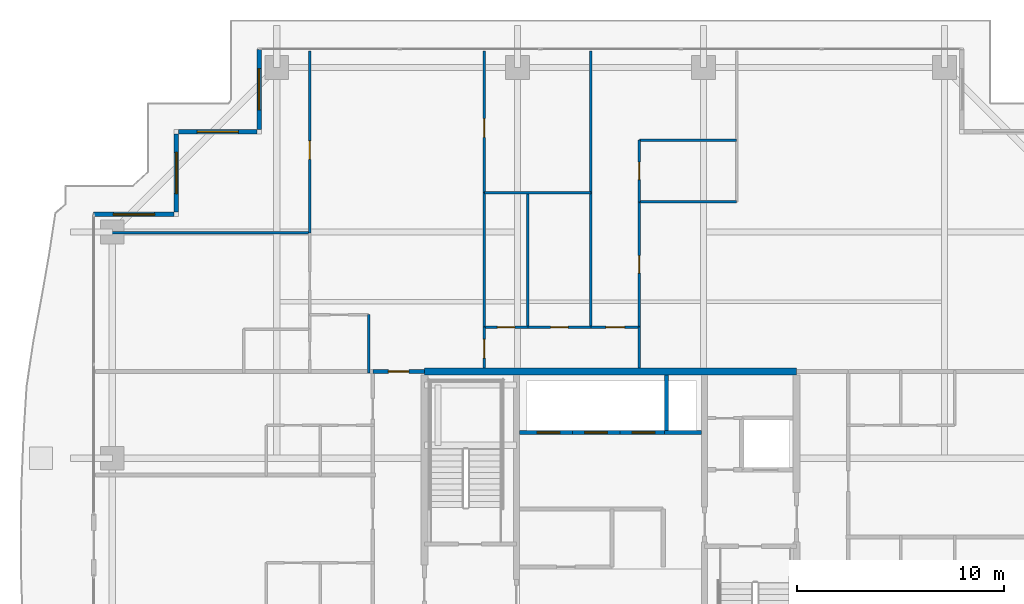
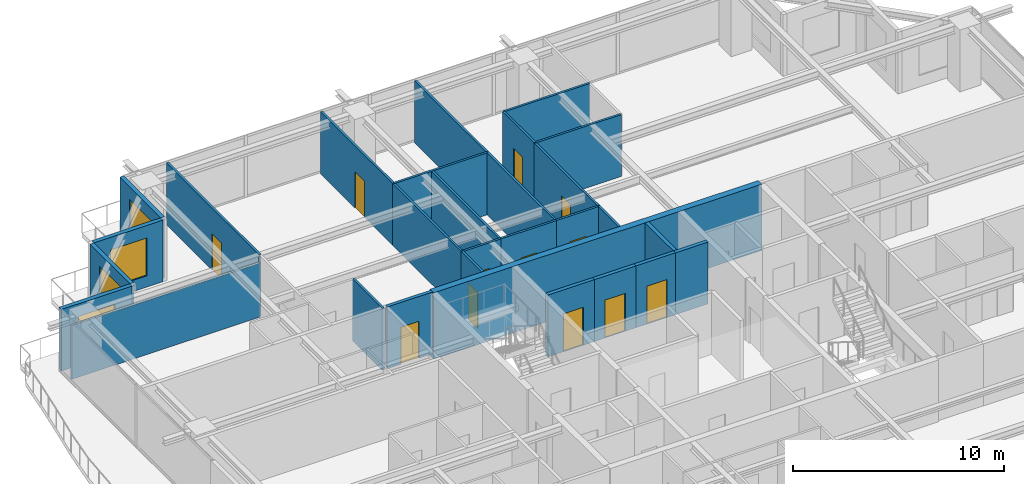
# One storey, part 28 of 36: 28 walls, 12 doors, 4 windows, 16 openings.
"""IFC4 building model written with IfcOpenShell, lengths in metres."""

from ifc_helpers import new_model, si_unit, direction, frame, frame_2d, origin, place, context, subcontext, project, spatial, rectangle, extrude, source, transform, mapped, material, layer, layer_set, type_object, element, fill, save


model = new_model("IFC4")

# Units and contexts
model_context = context("Model", 3, precision=1e-05, world=origin(), true_north=direction((0.0, 1.0)))
body_context = subcontext(model_context, "Body", "Model", "MODEL_VIEW")
ifc_project = project(units=[si_unit("LENGTHUNIT", "METRE"), si_unit("AREAUNIT", "SQUARE_METRE"), si_unit("VOLUMEUNIT", "CUBIC_METRE"), si_unit("PLANEANGLEUNIT", "RADIAN"), si_unit("MASSUNIT", "GRAM", prefix="KILO")], contexts=[model_context])

# Site, building, storey
site_placement = place(None, origin())
site = spatial("IfcSite", under=ifc_project, at=site_placement, CompositionType="ELEMENT")
building_placement = place(site_placement, origin())
building = spatial("IfcBuilding", under=site, at=building_placement, Name="Serunith Strait Residences", CompositionType="ELEMENT")
storey_placement = place(building_placement, frame((0.0, 0.0, 272.050048828125)))
storey = spatial("IfcBuildingStorey", under=building, at=storey_placement, Name="L68", CompositionType="ELEMENT", Elevation=272.050048828125)

# Wall, opening, window
ifc_material_1 = material(Name="Pale-Champagne Aluminium Insulated Panel", Category="aluminium")
ifc_layer_1 = layer(ifc_material_1, 0.219970703125, Name="Pale-Champagne Aluminium Insulated Panel")
ifc_layer_set_1 = layer_set([ifc_layer_1], Name="Pale-Champagne Aluminium Insulated Panel")
wall_type_1 = type_object("IfcWallType", Name="EW-ALUM-220", PredefinedType="ELEMENTEDWALL", material=ifc_layer_set_1)
wall_1_placement = place(storey_placement, frame((15.39990234375, 49.199951171875, 0.0), z_axis=(0.0, 0.0, 1.0), x_axis=(0.0, -1.0, 0.0)))
wall_1 = element("IfcWall", 1, at=wall_1_placement, inside=storey, type_object=wall_type_1, Name="L68 Girih Serrated Corner Wall 12", PredefinedType="ELEMENTEDWALL", context=body_context, shape_type="SweptSolid", body=[
    extrude(rectangle(XDim=3.889892578125, YDim=0.219970703125, at=frame_2d((1.94482421875, 0.0))), origin(), (0.0, 0.0, 1.0), 3.574951171875),
])
opening_1_placement = place(wall_1_placement, frame((0.945068359375, 0.0, 0.64990234375)))
opening_1 = element("IfcOpeningElement", 2, at=opening_1_placement, cuts=wall_1, Name="Opening W-04", PredefinedType="OPENING", context=body_context, shape_type="SweptSolid", body=[
    extrude(rectangle(XDim=2.0, YDim=2.199951171875, at=frame_2d((1.0, 1.10009765625))), frame((0.0, 0.1201171875, 0.0), z_axis=(0.0, -1.0, 0.0), x_axis=(1.0, 0.0, 0.0)), (0.0, 0.0, 1.0), 0.239990234375),
])
ifc_material_2 = material(Name="Ceramic-Fritted Operable Aluminium Window Glass", Category="aluminium")
window_type = type_object("IfcWindowType", Name="WIN-C4", PartitioningType="TRIPLE_PANEL_VERTICAL", PredefinedType="WINDOW", material=ifc_material_2)
shared_shape_1 = source(origin(), body_context, "Body", "SweptSolid", [
    extrude(rectangle(XDim=2.0, YDim=2.199951171875, at=frame_2d((1.0, 1.10009765625))), frame((0.0, 0.030029296875, 0.0), z_axis=(0.0, -1.0, 0.0), x_axis=(1.0, 0.0, 0.0)), (0.0, 0.0, 1.0), 0.06005859375),
])
window_1_placement = place(opening_1_placement, origin())
window_1 = element("IfcWindow", 3, at=window_1_placement, inside=storey, type_object=window_type, Name="L68 Corner Operable Fritted Window 12", OverallHeight=2.199951171875, OverallWidth=2.0, PartitioningType="SINGLE_PANEL", PredefinedType="WINDOW", context=body_context, shape_type="MappedRepresentation", body=[
    mapped(shared_shape_1, transform((0.0, 0.0, 0.0), scale=1.0)),
])
fill(opening_1, window_1)

wall_2_placement = place(storey_placement, frame((15.2900390625, 45.199951171875, 0.0), z_axis=(0.0, 0.0, 1.0), x_axis=(-1.0, 0.0, 0.0)))
wall_2 = element("IfcWall", 4, at=wall_2_placement, inside=storey, type_object=wall_type_1, Name="L68 Girih Serrated Corner Wall 13", PredefinedType="ELEMENTEDWALL", context=body_context, shape_type="SweptSolid", body=[
    extrude(rectangle(XDim=3.780029296875, YDim=0.219970703125, at=frame_2d((1.89013671875, 0.0))), origin(), (0.0, 0.0, 1.0), 3.574951171875),
])
opening_2_placement = place(wall_2_placement, frame((0.889892578125, 0.0, 0.64990234375)))
opening_2 = element("IfcOpeningElement", 5, at=opening_2_placement, cuts=wall_2, Name="Opening W-04", PredefinedType="OPENING", context=body_context, shape_type="SweptSolid", body=[
    extrude(rectangle(XDim=2.0, YDim=2.199951171875, at=frame_2d((1.0, 1.10009765625))), frame((0.0, 0.1201171875, 0.0), z_axis=(0.0, -1.0, 0.0), x_axis=(1.0, 0.0, 0.0)), (0.0, 0.0, 1.0), 0.239990234375),
])
window_2_placement = place(opening_2_placement, origin())
window_2 = element("IfcWindow", 6, at=window_2_placement, inside=storey, type_object=window_type, Name="L68 Corner Operable Fritted Window 13", OverallHeight=2.199951171875, OverallWidth=2.0, PartitioningType="SINGLE_PANEL", PredefinedType="WINDOW", context=body_context, shape_type="MappedRepresentation", body=[
    mapped(shared_shape_1, transform((0.0, 0.0, 0.0), scale=1.0)),
])
fill(opening_2, window_2)

wall_3_placement = place(storey_placement, frame((11.39990234375, 45.090087890625, 0.0), z_axis=(0.0, 0.0, 1.0), x_axis=(0.0, -1.0, 0.0)))
wall_3 = element("IfcWall", 7, at=wall_3_placement, inside=storey, type_object=wall_type_1, Name="L68 Girih Serrated Corner Wall 14", PredefinedType="ELEMENTEDWALL", context=body_context, shape_type="SweptSolid", body=[
    extrude(rectangle(XDim=3.780029296875, YDim=0.219970703125, at=frame_2d((1.89013671875, 0.0))), origin(), (0.0, 0.0, 1.0), 3.574951171875),
])
opening_3_placement = place(wall_3_placement, frame((0.889892578125, 0.0, 0.64990234375)))
opening_3 = element("IfcOpeningElement", 8, at=opening_3_placement, cuts=wall_3, Name="Opening W-04", PredefinedType="OPENING", context=body_context, shape_type="SweptSolid", body=[
    extrude(rectangle(XDim=2.0, YDim=2.199951171875, at=frame_2d((1.0, 1.10009765625))), frame((0.0, 0.1201171875, 0.0), z_axis=(0.0, -1.0, 0.0), x_axis=(1.0, 0.0, 0.0)), (0.0, 0.0, 1.0), 0.239990234375),
])
window_3_placement = place(opening_3_placement, origin())
window_3 = element("IfcWindow", 9, at=window_3_placement, inside=storey, type_object=window_type, Name="L68 Corner Operable Fritted Window 14", OverallHeight=2.199951171875, OverallWidth=2.0, PartitioningType="SINGLE_PANEL", PredefinedType="WINDOW", context=body_context, shape_type="MappedRepresentation", body=[
    mapped(shared_shape_1, transform((0.0, 0.0, 0.0), scale=1.0)),
])
fill(opening_3, window_3)

wall_4_placement = place(storey_placement, frame((11.2900390625, 41.199951171875, 0.0), z_axis=(0.0, 0.0, 1.0), x_axis=(-1.0, 0.0, 0.0)))
wall_4 = element("IfcWall", 10, at=wall_4_placement, inside=storey, type_object=wall_type_1, Name="L68 Girih Serrated Corner Wall 15", PredefinedType="ELEMENTEDWALL", context=body_context, shape_type="SweptSolid", body=[
    extrude(rectangle(XDim=3.89013671875, YDim=0.219970703125, at=frame_2d((1.945068359375, 0.0))), origin(), (0.0, 0.0, 1.0), 3.574951171875),
])
opening_4_placement = place(wall_4_placement, frame((0.945068359375, 0.0, 0.64990234375)))
opening_4 = element("IfcOpeningElement", 11, at=opening_4_placement, cuts=wall_4, Name="Opening W-04", PredefinedType="OPENING", context=body_context, shape_type="SweptSolid", body=[
    extrude(rectangle(XDim=2.0, YDim=2.199951171875, at=frame_2d((1.0, 1.10009765625))), frame((0.0, 0.1201171875, 0.0), z_axis=(0.0, -1.0, 0.0), x_axis=(1.0, 0.0, 0.0)), (0.0, 0.0, 1.0), 0.239990234375),
])
window_4_placement = place(opening_4_placement, origin())
window_4 = element("IfcWindow", 12, at=window_4_placement, inside=storey, type_object=window_type, Name="L68 Corner Operable Fritted Window 15", OverallHeight=2.199951171875, OverallWidth=2.0, PartitioningType="SINGLE_PANEL", PredefinedType="WINDOW", context=body_context, shape_type="MappedRepresentation", body=[
    mapped(shared_shape_1, transform((0.0, 0.0, 0.0), scale=1.0)),
])
fill(opening_4, window_4)

# Wall, opening, door
ifc_material_3 = material(Name="Fire-rated acoustic gypsum partition")
ifc_layer_2 = layer(ifc_material_3, 0.179931640625, Name="Fire-rated acoustic gypsum partition")
ifc_layer_set_2 = layer_set([ifc_layer_2], Name="Fire-rated acoustic gypsum partition")
wall_type_2 = type_object("IfcWallType", Name="IW-CORR-180", PredefinedType="PARTITIONING", material=ifc_layer_set_2)
wall_5_placement = place(storey_placement, frame((20.902099609375, 33.60009765625, 0.0), z_axis=(0.0, 0.0, 1.0), x_axis=(1.0, 0.0, 0.0)))
wall_5 = element("IfcWall", 13, at=wall_5_placement, inside=storey, type_object=wall_type_2, Name="L68 Partition Wall 028", PredefinedType="PARTITIONING", context=body_context, shape_type="SweptSolid", body=[
    extrude(rectangle(XDim=2.495849609375, YDim=0.179931640625, at=frame_2d((1.248046875, 0.0))), origin(), (0.0, 0.0, 1.0), 3.58984375),
])
opening_5_placement = place(wall_5_placement, frame((0.748046875, 0.0, 0.0)))
opening_5 = element("IfcOpeningElement", 14, at=opening_5_placement, cuts=wall_5, Name="Opening D-APT1000", PredefinedType="OPENING", context=body_context, shape_type="SweptSolid", body=[
    extrude(rectangle(XDim=1.0, YDim=2.14990234375, at=frame_2d((0.5, 1.074951171875))), frame((0.0, 0.10009765625, 0.0), z_axis=(0.0, -1.0, 0.0), x_axis=(1.0, 0.0, 0.0)), (0.0, 0.0, 1.0), 0.199951171875),
])
ifc_material_4 = material(Name="Solid timber engineered fire door", Category="wood")
door_type_1 = type_object("IfcDoorType", Name="ID-APT-1000", OperationType="NOTDEFINED", PredefinedType="DOOR", material=ifc_material_4)
shared_shape_2 = source(origin(), body_context, "Body", "SweptSolid", [
    extrude(rectangle(XDim=1.0, YDim=2.14990234375, at=frame_2d((0.5, 1.074951171875))), frame((0.0, 0.02490234375, 0.0), z_axis=(0.0, -1.0, 0.0), x_axis=(1.0, 0.0, 0.0)), (0.0, 0.0, 1.0), 0.050048828125),
])
door_1_placement = place(opening_5_placement, origin())
door_1 = element("IfcDoor", 15, at=door_1_placement, inside=storey, type_object=door_type_1, Name="L68 Unit 02 Entrance Door", OperationType="SINGLE_SWING_RIGHT", OverallHeight=2.14990234375, OverallWidth=1.0, PredefinedType="DOOR", context=body_context, shape_type="MappedRepresentation", body=[
    mapped(shared_shape_2, transform((0.0, 0.0, 0.0), scale=1.0)),
])
fill(opening_5, door_1)

# Wall
ifc_material_5 = material(Name="Lightweight steel-stud gypsum partition", Category="steel")
ifc_layer_3 = layer(ifc_material_5, 0.1201171875, Name="Lightweight steel-stud gypsum partition")
ifc_layer_set_3 = layer_set([ifc_layer_3], Name="Lightweight steel-stud gypsum partition")
wall_type_3 = type_object("IfcWallType", Name="IW-PART-120", PredefinedType="PARTITIONING", material=ifc_layer_set_3)
wall_6_placement = place(storey_placement, frame((20.699951171875, 36.35009765625, 0.0), z_axis=(0.0, 0.0, 1.0), x_axis=(0.0, -1.0, 0.0)))
element("IfcWall", 16, at=wall_6_placement, inside=storey, type_object=wall_type_3, Name="L68 Partition Wall 057", PredefinedType="PARTITIONING", context=body_context, shape_type="SweptSolid", body=[
    extrude(rectangle(XDim=2.81005859375, YDim=0.1201171875, at=frame_2d((1.405029296875, 0.0))), origin(), (0.0, 0.0, 1.0), 3.58984375),
])

# Wall, opening, door
wall_7_placement = place(storey_placement, frame((17.85009765625, 49.10498046875, 0.0), z_axis=(0.0, 0.0, 1.0), x_axis=(0.0, -1.0, 0.0)))
wall_7 = element("IfcWall", 17, at=wall_7_placement, inside=storey, type_object=wall_type_3, Name="L68 Partition Wall 058", PredefinedType="PARTITIONING", context=body_context, shape_type="SweptSolid", body=[
    extrude(rectangle(XDim=8.799072265625, YDim=0.1201171875, at=frame_2d((4.3994140625, 0.0))), origin(), (0.0, 0.0, 1.0), 3.58984375),
])
opening_6_placement = place(wall_7_placement, frame((4.343994140625, 0.0, 0.0)))
opening_6 = element("IfcOpeningElement", 18, at=opening_6_placement, cuts=wall_7, Name="Opening D-RM900", PredefinedType="OPENING", context=body_context, shape_type="SweptSolid", body=[
    extrude(rectangle(XDim=0.89990234375, YDim=2.10009765625, at=frame_2d((0.449951171875, 1.050048828125))), frame((0.0, 0.070068359375, 0.0), z_axis=(0.0, -1.0, 0.0), x_axis=(1.0, 0.0, 0.0)), (0.0, 0.0, 1.0), 0.14013671875),
])
ifc_material_6 = material(Name="Engineered timber flush bedroom door", Category="wood")
door_type_2 = type_object("IfcDoorType", Name="ID-ROOM-900", OperationType="NOTDEFINED", PredefinedType="DOOR", material=ifc_material_6)
shared_shape_3 = source(origin(), body_context, "Body", "SweptSolid", [
    extrude(rectangle(XDim=0.89990234375, YDim=2.10009765625, at=frame_2d((0.449951171875, 1.050048828125))), frame((0.0, 0.02490234375, 0.0), z_axis=(0.0, -1.0, 0.0), x_axis=(1.0, 0.0, 0.0)), (0.0, 0.0, 1.0), 0.050048828125),
])
door_2_placement = place(opening_6_placement, origin())
door_2 = element("IfcDoor", 19, at=door_2_placement, inside=storey, type_object=door_type_2, Name="L68 Master Bedroom 1 6802 Door", OperationType="SINGLE_SWING_RIGHT", OverallHeight=2.10009765625, OverallWidth=0.89990234375, PredefinedType="DOOR", context=body_context, shape_type="MappedRepresentation", body=[
    mapped(shared_shape_3, transform((0.0, 0.0, 0.0), scale=1.0)),
])
fill(opening_6, door_2)

# Wall
wall_8_placement = place(storey_placement, frame((7.4951171875, 40.305908203125, 0.0), z_axis=(0.0, 0.0, 1.0), x_axis=(1.0, 0.0, 0.0)))
element("IfcWall", 20, at=wall_8_placement, inside=storey, type_object=wall_type_3, Name="L68 Partition Wall 059", PredefinedType="PARTITIONING", context=body_context, shape_type="SweptSolid", body=[
    extrude(rectangle(XDim=10.35498046875, YDim=0.1201171875, at=frame_2d((5.177490234375, 0.0))), origin(), (0.0, 0.0, 1.0), 3.1220703125),
])

# Wall, opening, door
wall_9_placement = place(storey_placement, frame((26.300048828125, 35.75, 0.0), z_axis=(0.0, 0.0, 1.0), x_axis=(0.0, -1.0, 0.0)))
wall_9 = element("IfcWall", 21, at=wall_9_placement, inside=storey, type_object=wall_type_3, Name="L68 Partition Wall 064", PredefinedType="PARTITIONING", context=body_context, shape_type="SweptSolid", body=[
    extrude(rectangle(XDim=1.97509765625, YDim=0.1201171875, at=frame_2d((0.987548828125, 0.0))), origin(), (0.0, 0.0, 1.0), 3.58984375),
])
opening_7_placement = place(wall_9_placement, frame((0.60107421875, 0.0, 0.0)))
opening_7 = element("IfcOpeningElement", 22, at=opening_7_placement, cuts=wall_9, Name="Opening D-RM900", PredefinedType="OPENING", context=body_context, shape_type="SweptSolid", body=[
    extrude(rectangle(XDim=0.89990234375, YDim=2.10009765625, at=frame_2d((0.449951171875, 1.050048828125))), frame((0.0, 0.070068359375, 0.0), z_axis=(0.0, -1.0, 0.0), x_axis=(1.0, 0.0, 0.0)), (0.0, 0.0, 1.0), 0.14013671875),
])
door_3_placement = place(opening_7_placement, origin())
door_3 = element("IfcDoor", 23, at=door_3_placement, inside=storey, type_object=door_type_2, Name="L68 Hall E 6802 Door", OperationType="SINGLE_SWING_LEFT", OverallHeight=2.10009765625, OverallWidth=0.89990234375, PredefinedType="DOOR", context=body_context, shape_type="MappedRepresentation", body=[
    mapped(shared_shape_3, transform((0.0, 0.0, 0.0), scale=1.0)),
])
fill(opening_7, door_3)

wall_10_placement = place(storey_placement, frame((26.300048828125, 49.10498046875, 0.0), z_axis=(0.0, 0.0, 1.0), x_axis=(0.0, -1.0, 0.0)))
wall_10 = element("IfcWall", 24, at=wall_10_placement, inside=storey, type_object=wall_type_3, Name="L68 Partition Wall 065", PredefinedType="PARTITIONING", context=body_context, shape_type="SweptSolid", body=[
    extrude(rectangle(XDim=6.85498046875, YDim=0.1201171875, at=frame_2d((3.427490234375, 0.0))), origin(), (0.0, 0.0, 1.0), 3.58984375),
])
opening_8_placement = place(wall_10_placement, frame((3.27490234375, 0.0, 0.0)))
opening_8 = element("IfcOpeningElement", 25, at=opening_8_placement, cuts=wall_10, Name="Opening D-RM900", PredefinedType="OPENING", context=body_context, shape_type="SweptSolid", body=[
    extrude(rectangle(XDim=0.89990234375, YDim=2.10009765625, at=frame_2d((0.449951171875, 1.050048828125))), frame((0.0, 0.070068359375, 0.0), z_axis=(0.0, -1.0, 0.0), x_axis=(1.0, 0.0, 0.0)), (0.0, 0.0, 1.0), 0.14013671875),
])
door_4_placement = place(opening_8_placement, origin())
door_4 = element("IfcDoor", 26, at=door_4_placement, inside=storey, type_object=door_type_2, Name="L68 Formal Dining Room 2 6802 Door", OperationType="SINGLE_SWING_RIGHT", OverallHeight=2.10009765625, OverallWidth=0.89990234375, PredefinedType="DOOR", context=body_context, shape_type="MappedRepresentation", body=[
    mapped(shared_shape_3, transform((0.0, 0.0, 0.0), scale=1.0)),
])
fill(opening_8, door_4)

# Walls
wall_11_placement = place(storey_placement, frame((26.300048828125, 42.248046875, 0.0), z_axis=(0.0, 0.0, 1.0), x_axis=(0.0, -1.0, 0.0)))
element("IfcWall", 27, at=wall_11_placement, inside=storey, type_object=wall_type_3, Name="L68 Partition Wall 066", PredefinedType="PARTITIONING", context=body_context, shape_type="SweptSolid", body=[
    extrude(rectangle(XDim=6.49609375, YDim=0.1201171875, at=frame_2d((3.248046875, 0.0))), origin(), (0.0, 0.0, 1.0), 3.58984375),
])
wall_12_placement = place(storey_placement, frame((26.300048828125, 42.25, 0.0), z_axis=(0.0, 0.0, 1.0), x_axis=(1.0, 0.0, 0.0)))
element("IfcWall", 28, at=wall_12_placement, inside=storey, type_object=wall_type_3, Name="L68 Partition Wall 067", PredefinedType="PARTITIONING", context=body_context, shape_type="SweptSolid", body=[
    extrude(rectangle(XDim=5.14990234375, YDim=0.1201171875, at=frame_2d((2.574951171875, 0.0))), origin(), (0.0, 0.0, 1.0), 3.58984375),
])
wall_13_placement = place(storey_placement, frame((31.449951171875, 49.10498046875, 0.0), z_axis=(0.0, 0.0, 1.0), x_axis=(0.0, -1.0, 0.0)))
element("IfcWall", 29, at=wall_13_placement, inside=storey, type_object=wall_type_3, Name="L68 Partition Wall 068", PredefinedType="PARTITIONING", context=body_context, shape_type="SweptSolid", body=[
    extrude(rectangle(XDim=13.35498046875, YDim=0.1201171875, at=frame_2d((6.677490234375, 0.0))), origin(), (0.0, 0.0, 1.0), 3.58984375),
])
wall_14_placement = place(storey_placement, frame((28.39990234375, 42.25, 0.0), z_axis=(0.0, 0.0, 1.0), x_axis=(0.0, -1.0, 0.0)))
element("IfcWall", 30, at=wall_14_placement, inside=storey, type_object=wall_type_3, Name="L68 Partition Wall 069", PredefinedType="PARTITIONING", context=body_context, shape_type="SweptSolid", body=[
    extrude(rectangle(XDim=6.5, YDim=0.1201171875, at=frame_2d((3.25, 0.0))), origin(), (0.0, 0.0, 1.0), 3.58984375),
])

# Wall, opening, door
wall_15_placement = place(storey_placement, frame((26.300048828125, 35.75, 0.0), z_axis=(0.0, 0.0, 1.0), x_axis=(1.0, 0.0, 0.0)))
wall_15 = element("IfcWall", 31, at=wall_15_placement, inside=storey, type_object=wall_type_3, Name="L68 Partition Wall 070", PredefinedType="PARTITIONING", context=body_context, shape_type="SweptSolid", body=[
    extrude(rectangle(XDim=2.099853515625, YDim=0.1201171875, at=frame_2d((1.0498046875, 0.0))), origin(), (0.0, 0.0, 1.0), 3.58984375),
])
opening_9_placement = place(wall_15_placement, frame((0.625, 0.0, 0.0)))
opening_9 = element("IfcOpeningElement", 32, at=opening_9_placement, cuts=wall_15, Name="Opening D-RM850", PredefinedType="OPENING", context=body_context, shape_type="SweptSolid", body=[
    extrude(rectangle(XDim=0.85009765625, YDim=2.10009765625, at=frame_2d((0.425048828125, 1.050048828125))), frame((0.0, 0.070068359375, 0.0), z_axis=(0.0, -1.0, 0.0), x_axis=(1.0, 0.0, 0.0)), (0.0, 0.0, 1.0), 0.14013671875),
])
ifc_material_7 = material(Name="Engineered timber flush study and kitchen door", Category="wood")
door_type_3 = type_object("IfcDoorType", Name="ID-ROOM-850", OperationType="NOTDEFINED", PredefinedType="DOOR", material=ifc_material_7)
shared_shape_4 = source(origin(), body_context, "Body", "SweptSolid", [
    extrude(rectangle(XDim=0.85009765625, YDim=2.10009765625, at=frame_2d((0.425048828125, 1.050048828125))), frame((0.0, 0.02490234375, 0.0), z_axis=(0.0, -1.0, 0.0), x_axis=(1.0, 0.0, 0.0)), (0.0, 0.0, 1.0), 0.050048828125),
])
door_5_placement = place(opening_9_placement, origin())
door_5 = element("IfcDoor", 33, at=door_5_placement, inside=storey, type_object=door_type_3, Name="L68 Study 6802 Door", OperationType="SINGLE_SWING_LEFT", OverallHeight=2.10009765625, OverallWidth=0.85009765625, PredefinedType="DOOR", context=body_context, shape_type="MappedRepresentation", body=[
    mapped(shared_shape_4, transform((0.0, 0.0, 0.0), scale=1.0)),
])
fill(opening_9, door_5)

wall_16_placement = place(storey_placement, frame((28.402099609375, 35.75, 0.0), z_axis=(0.0, 0.0, 1.0), x_axis=(1.0, 0.0, 0.0)))
wall_16 = element("IfcWall", 34, at=wall_16_placement, inside=storey, type_object=wall_type_3, Name="L68 Partition Wall 071", PredefinedType="PARTITIONING", context=body_context, shape_type="SweptSolid", body=[
    extrude(rectangle(XDim=3.0478515625, YDim=0.1201171875, at=frame_2d((1.52392578125, 0.0))), origin(), (0.0, 0.0, 1.0), 3.58984375),
])
opening_10_placement = place(wall_16_placement, frame((1.09912109375, 0.0, 0.0)))
opening_10 = element("IfcOpeningElement", 35, at=opening_10_placement, cuts=wall_16, Name="Opening D-RM850", PredefinedType="OPENING", context=body_context, shape_type="SweptSolid", body=[
    extrude(rectangle(XDim=0.85009765625, YDim=2.10009765625, at=frame_2d((0.425048828125, 1.050048828125))), frame((0.0, 0.070068359375, 0.0), z_axis=(0.0, -1.0, 0.0), x_axis=(1.0, 0.0, 0.0)), (0.0, 0.0, 1.0), 0.14013671875),
])
door_6_placement = place(opening_10_placement, origin())
door_6 = element("IfcDoor", 36, at=door_6_placement, inside=storey, type_object=door_type_3, Name="L68 Formal Dining Room 6802 Door", OperationType="SINGLE_SWING_RIGHT", OverallHeight=2.10009765625, OverallWidth=0.85009765625, PredefinedType="DOOR", context=body_context, shape_type="MappedRepresentation", body=[
    mapped(shared_shape_4, transform((0.0, 0.0, 0.0), scale=1.0)),
])
fill(opening_10, door_6)

wall_17_placement = place(storey_placement, frame((31.451904296875, 35.75, 0.0), z_axis=(0.0, 0.0, 1.0), x_axis=(1.0, 0.0, 0.0)))
wall_17 = element("IfcWall", 37, at=wall_17_placement, inside=storey, type_object=wall_type_3, Name="L68 Partition Wall 072", PredefinedType="PARTITIONING", context=body_context, shape_type="SweptSolid", body=[
    extrude(rectangle(XDim=2.34814453125, YDim=0.1201171875, at=frame_2d((1.174072265625, 0.0))), origin(), (0.0, 0.0, 1.0), 3.58984375),
])
opening_11_placement = place(wall_17_placement, frame((0.72412109375, 0.0, 0.0)))
opening_11 = element("IfcOpeningElement", 38, at=opening_11_placement, cuts=wall_17, Name="Opening D-RM900", PredefinedType="OPENING", context=body_context, shape_type="SweptSolid", body=[
    extrude(rectangle(XDim=0.89990234375, YDim=2.10009765625, at=frame_2d((0.449951171875, 1.050048828125))), frame((0.0, 0.070068359375, 0.0), z_axis=(0.0, -1.0, 0.0), x_axis=(1.0, 0.0, 0.0)), (0.0, 0.0, 1.0), 0.14013671875),
])
door_7_placement = place(opening_11_placement, origin())
door_7 = element("IfcDoor", 39, at=door_7_placement, inside=storey, type_object=door_type_2, Name="L68 Master Bedroom E 6802 Door", OperationType="SINGLE_SWING_LEFT", OverallHeight=2.10009765625, OverallWidth=0.89990234375, PredefinedType="DOOR", context=body_context, shape_type="MappedRepresentation", body=[
    mapped(shared_shape_3, transform((0.0, 0.0, 0.0), scale=1.0)),
])
fill(opening_11, door_7)

# Walls
for number, where, z_axis, x_axis, name in (
    (40, (33.800048828125, 44.791015625, 0.0), (0.0, 0.0, 1.0), (1.0, 0.0, 0.0), "L68 Partition Wall 073"),
    (41, (33.800048828125, 41.81201171875, 0.0), (0.0, 0.0, 1.0), (1.0, 0.0, 0.0), "L68 Partition Wall 075"),
):
    element("IfcWall", number, at=place(storey_placement, frame(where, z_axis=z_axis, x_axis=x_axis)), inside=storey, type_object=wall_type_3, Name=name, PredefinedType="PARTITIONING", context=body_context, shape_type="SweptSolid", body=[
        extrude(rectangle(XDim=4.699951171875, YDim=0.1201171875, at=frame_2d((2.35009765625, 0.0))), origin(), (0.0, 0.0, 1.0), 3.58984375),
    ])

# Wall, opening, door
wall_18_placement = place(storey_placement, frame((33.800048828125, 44.791015625, 0.0), z_axis=(0.0, 0.0, 1.0), x_axis=(0.0, -1.0, 0.0)))
wall_18 = element("IfcWall", 42, at=wall_18_placement, inside=storey, type_object=wall_type_3, Name="L68 Partition Wall 076", PredefinedType="PARTITIONING", context=body_context, shape_type="SweptSolid", body=[
    extrude(rectangle(XDim=2.97900390625, YDim=0.1201171875, at=frame_2d((1.489501953125, 0.0))), origin(), (0.0, 0.0, 1.0), 3.58984375),
])
opening_12_placement = place(wall_18_placement, frame((1.06396484375, 0.0, 0.0)))
opening_12 = element("IfcOpeningElement", 43, at=opening_12_placement, cuts=wall_18, Name="Opening D-BTH850", PredefinedType="OPENING", context=body_context, shape_type="SweptSolid", body=[
    extrude(rectangle(XDim=0.85009765625, YDim=2.10009765625, at=frame_2d((0.425048828125, 1.050048828125))), frame((0.0, 0.070068359375, 0.0), z_axis=(0.0, -1.0, 0.0), x_axis=(1.0, 0.0, 0.0)), (0.0, 0.0, 1.0), 0.14013671875),
])
ifc_material_8 = material(Name="Moisture-resistant timber bathroom door", Category="wood")
door_type_4 = type_object("IfcDoorType", Name="ID-BATH-850", OperationType="NOTDEFINED", PredefinedType="DOOR", material=ifc_material_8)
door_8_placement = place(opening_12_placement, origin())
door_8 = element("IfcDoor", 44, at=door_8_placement, inside=storey, type_object=door_type_4, Name="L68 En-suite Bathroom E 6802 Door", OperationType="SINGLE_SWING_RIGHT", OverallHeight=2.10009765625, OverallWidth=0.85009765625, PredefinedType="DOOR", context=body_context, shape_type="MappedRepresentation", body=[
    mapped(shared_shape_4, transform((0.0, 0.0, 0.0), scale=1.0)),
])
fill(opening_12, door_8)

wall_19_placement = place(storey_placement, frame((33.800048828125, 41.81005859375, 0.0), z_axis=(0.0, 0.0, 1.0), x_axis=(0.0, -1.0, 0.0)))
wall_19 = element("IfcWall", 45, at=wall_19_placement, inside=storey, type_object=wall_type_3, Name="L68 Partition Wall 077", PredefinedType="PARTITIONING", context=body_context, shape_type="SweptSolid", body=[
    extrude(rectangle(XDim=6.06005859375, YDim=0.1201171875, at=frame_2d((3.030029296875, 0.0))), origin(), (0.0, 0.0, 1.0), 3.58984375),
])
opening_13_placement = place(wall_19_placement, frame((2.60498046875, 0.0, 0.0)))
opening_13 = element("IfcOpeningElement", 46, at=opening_13_placement, cuts=wall_19, Name="Opening D-RM850", PredefinedType="OPENING", context=body_context, shape_type="SweptSolid", body=[
    extrude(rectangle(XDim=0.85009765625, YDim=2.10009765625, at=frame_2d((0.425048828125, 1.050048828125))), frame((0.0, 0.070068359375, 0.0), z_axis=(0.0, -1.0, 0.0), x_axis=(1.0, 0.0, 0.0)), (0.0, 0.0, 1.0), 0.14013671875),
])
door_9_placement = place(opening_13_placement, origin())
door_9 = element("IfcDoor", 47, at=door_9_placement, inside=storey, type_object=door_type_3, Name="L68 Wardrobe E 6802 Door", OperationType="SINGLE_SWING_LEFT", OverallHeight=2.10009765625, OverallWidth=0.85009765625, PredefinedType="DOOR", context=body_context, shape_type="MappedRepresentation", body=[
    mapped(shared_shape_4, transform((0.0, 0.0, 0.0), scale=1.0)),
])
fill(opening_13, door_9)

# Wall
wall_20_placement = place(storey_placement, frame((33.800048828125, 35.748046875, 0.0), z_axis=(0.0, 0.0, 1.0), x_axis=(0.0, -1.0, 0.0)))
element("IfcWall", 48, at=wall_20_placement, inside=storey, type_object=wall_type_3, Name="L68 Partition Wall 078", PredefinedType="PARTITIONING", context=body_context, shape_type="SweptSolid", body=[
    extrude(rectangle(XDim=1.97314453125, YDim=0.1201171875, at=frame_2d((0.986572265625, 0.0))), origin(), (0.0, 0.0, 1.0), 3.58984375),
])

# Wall, opening, door
ifc_material_9 = material(Name="Autoclaved aerated concrete blockwork", Category="masonry")
ifc_layer_4 = layer(ifc_material_9, 0.199951171875, Name="Autoclaved aerated concrete blockwork")
ifc_layer_set_4 = layer_set([ifc_layer_4], Name="Autoclaved aerated concrete blockwork")
wall_type_4 = type_object("IfcWallType", Name="IW-SHAFT-200", PredefinedType="STANDARD", material=ifc_layer_set_4)
wall_21_placement = place(storey_placement, frame((28.0, 30.64990234375, 0.0), z_axis=(0.0, 0.0, 1.0), x_axis=(1.0, 0.0, 0.0)))
wall_21 = element("IfcWall", 49, at=wall_21_placement, inside=storey, type_object=wall_type_4, Name="L68 PL-7 South Shaft Wall", PredefinedType="STANDARD", context=body_context, shape_type="SweptSolid", body=[
    extrude(rectangle(XDim=2.550048828125, YDim=0.199951171875, at=frame_2d((1.27490234375, 0.0))), origin(), (0.0, 0.0, 1.0), 3.58984375),
])
opening_14_placement = place(wall_21_placement, frame((0.85009765625, 0.0, 0.0)))
opening_14 = element("IfcOpeningElement", 50, at=opening_14_placement, cuts=wall_21, Name="Opening LD-1100", PredefinedType="OPENING", context=body_context, shape_type="SweptSolid", body=[
    extrude(rectangle(XDim=1.10009765625, YDim=2.199951171875, at=frame_2d((0.550048828125, 1.10009765625))), frame((0.0, 0.10986328125, 0.0), z_axis=(0.0, -1.0, 0.0), x_axis=(1.0, 0.0, 0.0)), (0.0, 0.0, 1.0), 0.219970703125),
])
ifc_material_10 = material(Name="Pale-champagne stainless landing door")
door_type_5 = type_object("IfcDoorType", Name="LD-LIFT-1100", OperationType="DOUBLE_DOOR_SLIDING", PredefinedType="DOOR", material=ifc_material_10)
shared_shape_5 = source(origin(), body_context, "Body", "SweptSolid", [
    extrude(rectangle(XDim=1.10009765625, YDim=2.199951171875, at=frame_2d((0.550048828125, 1.10009765625))), frame((0.0, 0.02490234375, 0.0), z_axis=(0.0, -1.0, 0.0), x_axis=(1.0, 0.0, 0.0)), (0.0, 0.0, 1.0), 0.050048828125),
])
door_10_placement = place(opening_14_placement, origin())
door_10 = element("IfcDoor", 51, at=door_10_placement, inside=storey, type_object=door_type_5, Name="L68 PL-7 Landing Door", OperationType="DOUBLE_DOOR_SLIDING", OverallHeight=2.199951171875, OverallWidth=1.10009765625, PredefinedType="DOOR", context=body_context, shape_type="MappedRepresentation", body=[
    mapped(shared_shape_5, transform((0.0, 0.0, 0.0), scale=1.0)),
])
fill(opening_14, door_10)

wall_22_placement = place(storey_placement, frame((30.550048828125, 30.64990234375, 0.0), z_axis=(0.0, 0.0, 1.0), x_axis=(1.0, 0.0, 0.0)))
wall_22 = element("IfcWall", 52, at=wall_22_placement, inside=storey, type_object=wall_type_4, Name="L68 PL-8 South Shaft Wall", PredefinedType="STANDARD", context=body_context, shape_type="SweptSolid", body=[
    extrude(rectangle(XDim=2.300048828125, YDim=0.199951171875, at=frame_2d((1.14990234375, 0.0))), origin(), (0.0, 0.0, 1.0), 3.58984375),
])
opening_15_placement = place(wall_22_placement, frame((0.60009765625, 0.0, 0.0)))
opening_15 = element("IfcOpeningElement", 53, at=opening_15_placement, cuts=wall_22, Name="Opening LD-1100", PredefinedType="OPENING", context=body_context, shape_type="SweptSolid", body=[
    extrude(rectangle(XDim=1.10009765625, YDim=2.199951171875, at=frame_2d((0.550048828125, 1.10009765625))), frame((0.0, 0.10986328125, 0.0), z_axis=(0.0, -1.0, 0.0), x_axis=(1.0, 0.0, 0.0)), (0.0, 0.0, 1.0), 0.219970703125),
])
door_11_placement = place(opening_15_placement, origin())
door_11 = element("IfcDoor", 54, at=door_11_placement, inside=storey, type_object=door_type_5, Name="L68 PL-8 Landing Door", OperationType="DOUBLE_DOOR_SLIDING", OverallHeight=2.199951171875, OverallWidth=1.10009765625, PredefinedType="DOOR", context=body_context, shape_type="MappedRepresentation", body=[
    mapped(shared_shape_5, transform((0.0, 0.0, 0.0), scale=1.0)),
])
fill(opening_15, door_11)

wall_23_placement = place(storey_placement, frame((32.85009765625, 30.64990234375, 0.0), z_axis=(0.0, 0.0, 1.0), x_axis=(1.0, 0.0, 0.0)))
wall_23 = element("IfcWall", 55, at=wall_23_placement, inside=storey, type_object=wall_type_4, Name="L68 PL-9 South Shaft Wall", PredefinedType="STANDARD", context=body_context, shape_type="SweptSolid", body=[
    extrude(rectangle(XDim=2.14990234375, YDim=0.199951171875, at=frame_2d((1.074951171875, 0.0))), origin(), (0.0, 0.0, 1.0), 3.58984375),
])
opening_16_placement = place(wall_23_placement, frame((0.60009765625, 0.0, 0.0)))
opening_16 = element("IfcOpeningElement", 56, at=opening_16_placement, cuts=wall_23, Name="Opening LD-1100", PredefinedType="OPENING", context=body_context, shape_type="SweptSolid", body=[
    extrude(rectangle(XDim=1.10009765625, YDim=2.199951171875, at=frame_2d((0.550048828125, 1.10009765625))), frame((0.0, 0.10986328125, 0.0), z_axis=(0.0, -1.0, 0.0), x_axis=(1.0, 0.0, 0.0)), (0.0, 0.0, 1.0), 0.219970703125),
])
door_12_placement = place(opening_16_placement, origin())
door_12 = element("IfcDoor", 57, at=door_12_placement, inside=storey, type_object=door_type_5, Name="L68 PL-9 Landing Door", OperationType="DOUBLE_DOOR_SLIDING", OverallHeight=2.199951171875, OverallWidth=1.10009765625, PredefinedType="DOOR", context=body_context, shape_type="MappedRepresentation", body=[
    mapped(shared_shape_5, transform((0.0, 0.0, 0.0), scale=1.0)),
])
fill(opening_16, door_12)

# Walls
wall_24_placement = place(storey_placement, frame((35.0, 30.64990234375, 0.0), z_axis=(0.0, 0.0, 1.0), x_axis=(1.0, 0.0, 0.0)))
element("IfcWall", 58, at=wall_24_placement, inside=storey, type_object=wall_type_4, Name="L68 SL-1 South Shaft Wall", PredefinedType="STANDARD", context=body_context, shape_type="SweptSolid", body=[
    extrude(rectangle(XDim=1.800048828125, YDim=0.199951171875, at=frame_2d((0.89990234375, 0.0))), origin(), (0.0, 0.0, 1.0), 3.58984375),
])
wall_25_placement = place(storey_placement, frame((35.10009765625, 30.75, 0.0), z_axis=(0.0, 0.0, 1.0), x_axis=(0.0, 1.0, 0.0)))
element("IfcWall", 59, at=wall_25_placement, inside=storey, type_object=wall_type_4, Name="L68 SL-1 West Shaft Wall", PredefinedType="STANDARD", context=body_context, shape_type="SweptSolid", body=[
    extrude(rectangle(XDim=2.675048828125, YDim=0.199951171875, at=frame_2d((1.33740234375, 0.0))), origin(), (0.0, 0.0, 1.0), 3.58984375),
])
ifc_material_11 = material(Name="Concrete C60/75", Category="concrete")
ifc_layer_5 = layer(ifc_material_11, 0.35009765625, Name="Concrete C60/75")
ifc_layer_set_5 = layer_set([ifc_layer_5], Name="Concrete C60/75")
wall_type_5 = type_object("IfcWallType", Name="SW-350-C60", PredefinedType="SHEAR", material=ifc_layer_set_5)
wall_26_placement = place(storey_placement, frame((41.39990234375, 33.60009765625, -0.260009765625), z_axis=(0.0, 0.0, 1.0), x_axis=(-1.0, 0.0, 0.0)))
element("IfcWall", 60, at=wall_26_placement, inside=storey, type_object=wall_type_5, Name="L68 Core North Shear Wall", PredefinedType="SHEAR", context=body_context, shape_type="SweptSolid", body=[
    extrude(rectangle(XDim=18.0, YDim=0.35009765625, at=frame_2d((9.0, 0.0))), origin(), (0.0, 0.0, 1.0), 3.847900390625),
])

save(model, "model.ifc")
